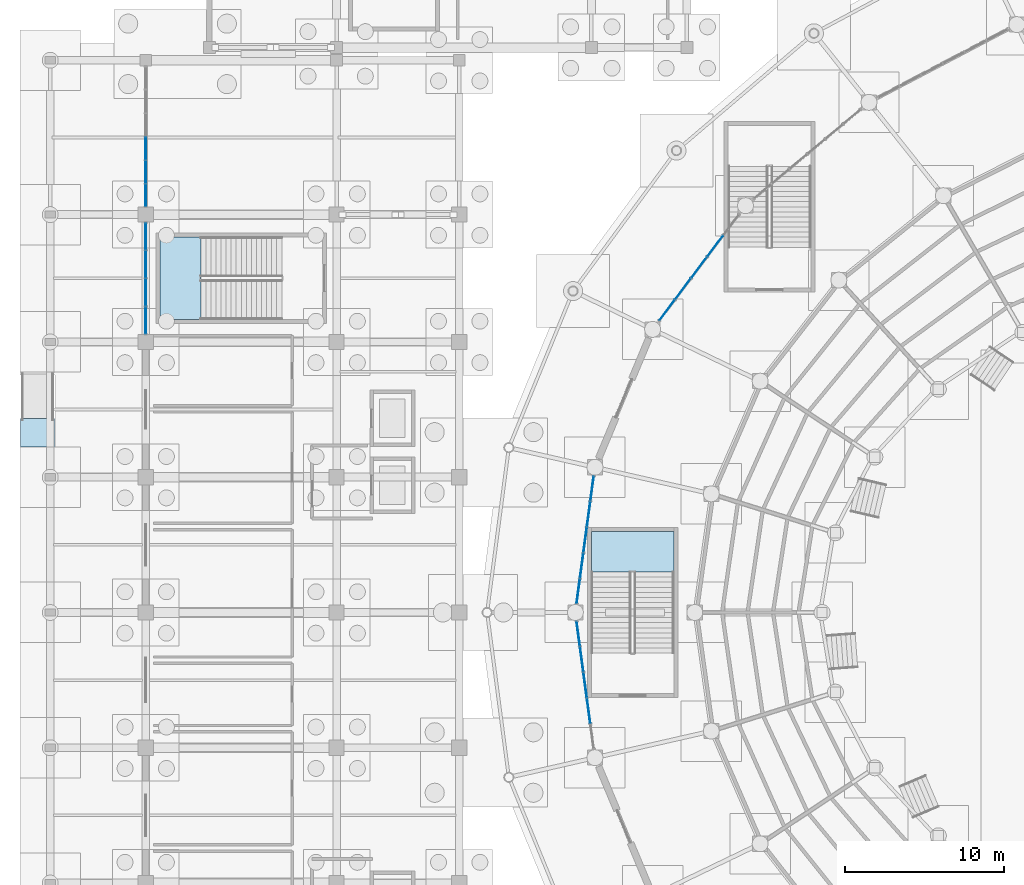
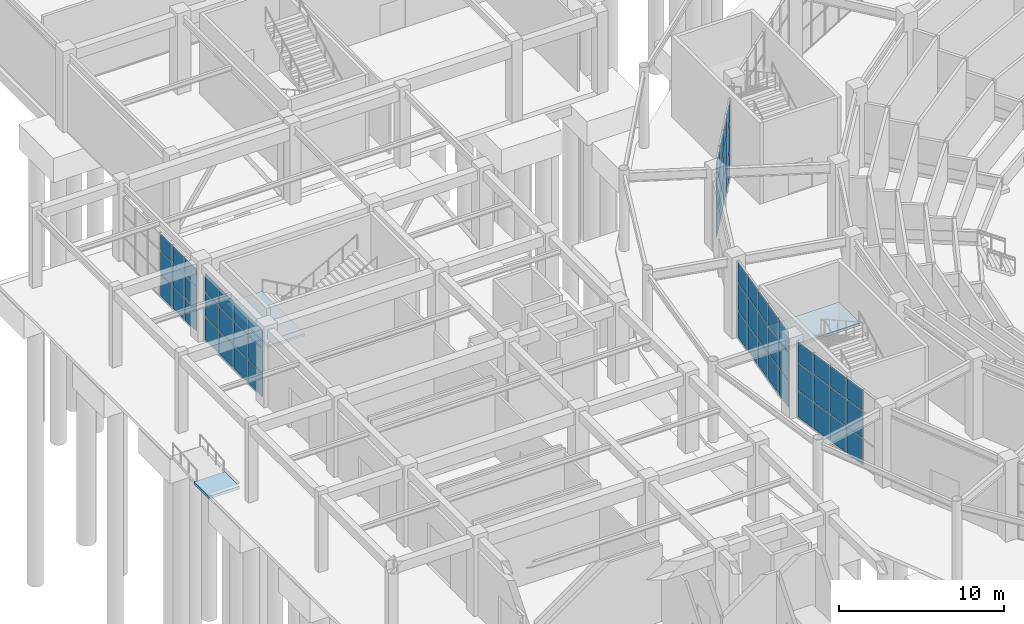
# One storey, part 69 of 121: 60 plates, 3 slabs, 8 elements without a shape of their own.
"""IFC4 building model written with IfcOpenShell, lengths in metres."""

from ifc_helpers import new_model, si_unit, direction, frame, origin, origin_2d, place, context, subcontext, project, spatial, polyline, rectangle, outline, extrude, material, layer, layer_set, type_object, element, aggregate, save


model = new_model("IFC4")

# Units and contexts
model_context = context("Model", 3, precision=1e-05, world=origin(), true_north=direction((0.0, 1.0)))
body_context = subcontext(model_context, "Body", "Model", "MODEL_VIEW")
ifc_project = project(units=[si_unit("LENGTHUNIT", "METRE"), si_unit("AREAUNIT", "SQUARE_METRE"), si_unit("VOLUMEUNIT", "CUBIC_METRE"), si_unit("PLANEANGLEUNIT", "RADIAN"), si_unit("MASSUNIT", "GRAM", prefix="KILO")], contexts=[model_context])

# Site, building, storey
site_placement = place(None, origin())
site = spatial("IfcSite", under=ifc_project, at=site_placement, CompositionType="ELEMENT")
building_placement = place(site_placement, origin())
building = spatial("IfcBuilding", under=site, at=building_placement, Name="Cuetzalor Civic Arena", CompositionType="ELEMENT")
storey_placement = place(building_placement, origin())
storey = spatial("IfcBuildingStorey", under=building, at=storey_placement, Name="L00", CompositionType="ELEMENT", Elevation=0.0)

# Curtain wall, plates
ifc_material_1 = material(Name="Anodised dark bronze aluminium and low-E solar glass", Category="aluminium")
curtain_wall_type_1 = type_object("IfcCurtainWallType", Name="UnitisedCW_8450x5700", PredefinedType="USERDEFINED", material=ifc_material_1)
curtain_wall_1_placement = place(storey_placement, origin())
curtain_wall_1 = element("IfcCurtainWall", 1, at=curtain_wall_1_placement, inside=storey, type_object=curtain_wall_type_1, Name="Drum Ground Recessed Concourse Curtain Wall L00-009", ObjectType="UNITISED CURTAIN WALL", PredefinedType="USERDEFINED")
ifc_material_2 = material(Name="Acoustic laminated solar control glass", Category="glass")
ifc_layer_1 = layer(ifc_material_2, 0.0439453125)
ifc_layer_set_1 = layer_set([ifc_layer_1], Name="Acoustic laminated solar control glass")
plate_type = type_object("IfcPlateType", Name="AcousticTripleGlazedPanel_44", PredefinedType="CURTAIN_PANEL", material=ifc_layer_set_1)
plate_1_placement = place(storey_placement, frame((-43.242431640625, 18.994384765625, 0.06982421875), z_axis=(0.0, 0.0, 1.0), x_axis=(0.600491594925, 0.799631067696, 0.0)))
plate_1 = element("IfcPlate", 2, at=plate_1_placement, type_object=plate_type, Name="CW-02 panel 1.1", PredefinedType="CURTAIN_PANEL", context=body_context, shape_type="SweptSolid", body=[
    extrude(rectangle(XDim=1.58056640625, YDim=0.0439453125, at=origin_2d()), origin(), (0.0, 0.0, 1.0), 1.947021484375),
])
plate_2_placement = place(storey_placement, frame((-43.242431640625, 18.994384765625, 2.0869140625), z_axis=(0.0, 0.0, 1.0), x_axis=(0.600491594925, 0.799631067696, 0.0)))
plate_2 = element("IfcPlate", 3, at=plate_2_placement, type_object=plate_type, Name="CW-02 panel 1.2", PredefinedType="CURTAIN_PANEL", context=body_context, shape_type="SweptSolid", body=[
    extrude(rectangle(XDim=1.58056640625, YDim=0.0439453125, at=origin_2d()), origin(), (0.0, 0.0, 1.0), 1.98193359375),
])
plate_3_placement = place(storey_placement, frame((-43.242431640625, 18.994384765625, 4.13916015625), z_axis=(0.0, 0.0, 1.0), x_axis=(0.600491594925, 0.799631067696, 0.0)))
plate_3 = element("IfcPlate", 4, at=plate_3_placement, type_object=plate_type, Name="CW-02 panel 1.3", PredefinedType="CURTAIN_PANEL", context=body_context, shape_type="SweptSolid", body=[
    extrude(rectangle(XDim=1.58056640625, YDim=0.0439453125, at=origin_2d()), origin(), (0.0, 0.0, 1.0), 1.490966796875),
])
plate_4_placement = place(storey_placement, frame((-42.24072265625, 20.328369140625, 0.06982421875), z_axis=(0.0, 0.0, 1.0), x_axis=(0.600491594925, 0.799631067696, 0.0)))
plate_4 = element("IfcPlate", 5, at=plate_4_placement, type_object=plate_type, Name="CW-02 panel 2.1", PredefinedType="CURTAIN_PANEL", context=body_context, shape_type="SweptSolid", body=[
    extrude(rectangle(XDim=1.615478515625, YDim=0.0439453125, at=origin_2d()), origin(), (0.0, 0.0, 1.0), 1.947021484375),
])
plate_5_placement = place(storey_placement, frame((-42.24072265625, 20.328369140625, 2.0869140625), z_axis=(0.0, 0.0, 1.0), x_axis=(0.600491594925, 0.799631067696, 0.0)))
plate_5 = element("IfcPlate", 6, at=plate_5_placement, type_object=plate_type, Name="CW-02 panel 2.2", PredefinedType="CURTAIN_PANEL", context=body_context, shape_type="SweptSolid", body=[
    extrude(rectangle(XDim=1.615478515625, YDim=0.0439453125, at=origin_2d()), origin(), (0.0, 0.0, 1.0), 1.98193359375),
])
plate_6_placement = place(storey_placement, frame((-42.24072265625, 20.328369140625, 4.13916015625), z_axis=(0.0, 0.0, 1.0), x_axis=(0.600491594925, 0.799631067696, 0.0)))
plate_6 = element("IfcPlate", 7, at=plate_6_placement, type_object=plate_type, Name="CW-02 panel 2.3", PredefinedType="CURTAIN_PANEL", context=body_context, shape_type="SweptSolid", body=[
    extrude(rectangle(XDim=1.615478515625, YDim=0.0439453125, at=origin_2d()), origin(), (0.0, 0.0, 1.0), 1.490966796875),
])
plate_7_placement = place(storey_placement, frame((-41.228515625, 21.67626953125, 0.06982421875), z_axis=(0.0, 0.0, 1.0), x_axis=(0.600491594925, 0.799631067696, 0.0)))
plate_7 = element("IfcPlate", 8, at=plate_7_placement, type_object=plate_type, Name="CW-02 panel 3.1", PredefinedType="CURTAIN_PANEL", context=body_context, shape_type="SweptSolid", body=[
    extrude(rectangle(XDim=1.615478515625, YDim=0.0439453125, at=origin_2d()), origin(), (0.0, 0.0, 1.0), 1.947021484375),
])
plate_8_placement = place(storey_placement, frame((-41.228515625, 21.67626953125, 2.0869140625), z_axis=(0.0, 0.0, 1.0), x_axis=(0.600491594925, 0.799631067696, 0.0)))
plate_8 = element("IfcPlate", 9, at=plate_8_placement, type_object=plate_type, Name="CW-02 panel 3.2", PredefinedType="CURTAIN_PANEL", context=body_context, shape_type="SweptSolid", body=[
    extrude(rectangle(XDim=1.615478515625, YDim=0.0439453125, at=origin_2d()), origin(), (0.0, 0.0, 1.0), 1.98193359375),
])
plate_9_placement = place(storey_placement, frame((-41.228515625, 21.67626953125, 4.13916015625), z_axis=(0.0, 0.0, 1.0), x_axis=(0.600491594925, 0.799631067696, 0.0)))
plate_9 = element("IfcPlate", 10, at=plate_9_placement, type_object=plate_type, Name="CW-02 panel 3.3", PredefinedType="CURTAIN_PANEL", context=body_context, shape_type="SweptSolid", body=[
    extrude(rectangle(XDim=1.615478515625, YDim=0.0439453125, at=origin_2d()), origin(), (0.0, 0.0, 1.0), 1.490966796875),
])
plate_10_placement = place(storey_placement, frame((-40.216552734375, 23.02392578125, 0.06982421875), z_axis=(0.0, 0.0, 1.0), x_axis=(0.600491594925, 0.799631067696, 0.0)))
plate_10 = element("IfcPlate", 11, at=plate_10_placement, type_object=plate_type, Name="CW-02 panel 4.1", PredefinedType="CURTAIN_PANEL", context=body_context, shape_type="SweptSolid", body=[
    extrude(rectangle(XDim=1.615478515625, YDim=0.0439453125, at=origin_2d()), origin(), (0.0, 0.0, 1.0), 1.947021484375),
])
plate_11_placement = place(storey_placement, frame((-40.216552734375, 23.02392578125, 2.0869140625), z_axis=(0.0, 0.0, 1.0), x_axis=(0.600491594925, 0.799631067696, 0.0)))
plate_11 = element("IfcPlate", 12, at=plate_11_placement, type_object=plate_type, Name="CW-02 panel 4.2", PredefinedType="CURTAIN_PANEL", context=body_context, shape_type="SweptSolid", body=[
    extrude(rectangle(XDim=1.615478515625, YDim=0.0439453125, at=origin_2d()), origin(), (0.0, 0.0, 1.0), 1.98193359375),
])
plate_12_placement = place(storey_placement, frame((-40.216552734375, 23.02392578125, 4.13916015625), z_axis=(0.0, 0.0, 1.0), x_axis=(0.600491594925, 0.799631067696, 0.0)))
plate_12 = element("IfcPlate", 13, at=plate_12_placement, type_object=plate_type, Name="CW-02 panel 4.3", PredefinedType="CURTAIN_PANEL", context=body_context, shape_type="SweptSolid", body=[
    extrude(rectangle(XDim=1.615478515625, YDim=0.0439453125, at=origin_2d()), origin(), (0.0, 0.0, 1.0), 1.490966796875),
])
aggregate(curtain_wall_1, [plate_1, plate_2, plate_3, plate_4, plate_5, plate_6, plate_7, plate_8, plate_9, plate_10, plate_11, plate_12])

ifc_material_3 = material(Name="Anodised dark bronze aluminium and low-E solar glass", Category="aluminium")
curtain_wall_type_2 = type_object("IfcCurtainWallType", Name="UnitisedCW_8150x5700", PredefinedType="USERDEFINED", material=ifc_material_3)
curtain_wall_2_placement = place(storey_placement, origin())
curtain_wall_2 = element("IfcCurtainWall", 14, at=curtain_wall_2_placement, inside=storey, type_object=curtain_wall_type_2, Name="Drum Ground Recessed Concourse Curtain Wall L00-010", ObjectType="UNITISED CURTAIN WALL", PredefinedType="USERDEFINED")
plate_13_placement = place(storey_placement, frame((-48.819580078125, 1.3388671875, 0.06982421875), z_axis=(0.0, 0.0, 1.0), x_axis=(0.133443440892, 0.991056430322, 0.0)))
plate_13 = element("IfcPlate", 15, at=plate_13_placement, type_object=plate_type, Name="CW-01 panel 1.1", PredefinedType="CURTAIN_PANEL", context=body_context, shape_type="SweptSolid", body=[
    extrude(rectangle(XDim=1.52978515625, YDim=0.0439453125, at=origin_2d()), origin(), (0.0, 0.0, 1.0), 1.947021484375),
])
plate_14_placement = place(storey_placement, frame((-48.819580078125, 1.3388671875, 2.0869140625), z_axis=(0.0, 0.0, 1.0), x_axis=(0.133443440892, 0.991056430322, 0.0)))
plate_14 = element("IfcPlate", 16, at=plate_14_placement, type_object=plate_type, Name="CW-01 panel 1.2", PredefinedType="CURTAIN_PANEL", context=body_context, shape_type="SweptSolid", body=[
    extrude(rectangle(XDim=1.52978515625, YDim=0.0439453125, at=origin_2d()), origin(), (0.0, 0.0, 1.0), 1.98193359375),
])
plate_15_placement = place(storey_placement, frame((-48.819580078125, 1.3388671875, 4.13916015625), z_axis=(0.0, 0.0, 1.0), x_axis=(0.133443440892, 0.991056430322, 0.0)))
plate_15 = element("IfcPlate", 17, at=plate_15_placement, type_object=plate_type, Name="CW-01 panel 1.3", PredefinedType="CURTAIN_PANEL", context=body_context, shape_type="SweptSolid", body=[
    extrude(rectangle(XDim=1.52978515625, YDim=0.0439453125, at=origin_2d()), origin(), (0.0, 0.0, 1.0), 1.490966796875),
])
plate_16_placement = place(storey_placement, frame((-48.60400390625, 2.941650390625, 0.06982421875), z_axis=(0.0, 0.0, 1.0), x_axis=(0.133443440892, 0.991056430322, 0.0)))
plate_16 = element("IfcPlate", 18, at=plate_16_placement, type_object=plate_type, Name="CW-01 panel 2.1", PredefinedType="CURTAIN_PANEL", context=body_context, shape_type="SweptSolid", body=[
    extrude(rectangle(XDim=1.564697265625, YDim=0.0439453125, at=origin_2d()), origin(), (0.0, 0.0, 1.0), 1.947021484375),
])
plate_17_placement = place(storey_placement, frame((-48.60400390625, 2.941650390625, 2.0869140625), z_axis=(0.0, 0.0, 1.0), x_axis=(0.133443440892, 0.991056430322, 0.0)))
plate_17 = element("IfcPlate", 19, at=plate_17_placement, type_object=plate_type, Name="CW-01 panel 2.2", PredefinedType="CURTAIN_PANEL", context=body_context, shape_type="SweptSolid", body=[
    extrude(rectangle(XDim=1.564697265625, YDim=0.0439453125, at=origin_2d()), origin(), (0.0, 0.0, 1.0), 1.98193359375),
])
plate_18_placement = place(storey_placement, frame((-48.60400390625, 2.941650390625, 4.13916015625), z_axis=(0.0, 0.0, 1.0), x_axis=(0.133443440892, 0.991056430322, 0.0)))
plate_18 = element("IfcPlate", 20, at=plate_18_placement, type_object=plate_type, Name="CW-01 panel 2.3", PredefinedType="CURTAIN_PANEL", context=body_context, shape_type="SweptSolid", body=[
    extrude(rectangle(XDim=1.564697265625, YDim=0.0439453125, at=origin_2d()), origin(), (0.0, 0.0, 1.0), 1.490966796875),
])
plate_19_placement = place(storey_placement, frame((-48.3857421875, 4.561767578125, 0.06982421875), z_axis=(0.0, 0.0, 1.0), x_axis=(0.133443440892, 0.991056430322, 0.0)))
plate_19 = element("IfcPlate", 21, at=plate_19_placement, type_object=plate_type, Name="CW-01 panel 3.1", PredefinedType="CURTAIN_PANEL", context=body_context, shape_type="SweptSolid", body=[
    extrude(rectangle(XDim=1.564697265625, YDim=0.0439453125, at=origin_2d()), origin(), (0.0, 0.0, 1.0), 1.947021484375),
])
plate_20_placement = place(storey_placement, frame((-48.3857421875, 4.561767578125, 2.0869140625), z_axis=(0.0, 0.0, 1.0), x_axis=(0.133443440892, 0.991056430322, 0.0)))
plate_20 = element("IfcPlate", 22, at=plate_20_placement, type_object=plate_type, Name="CW-01 panel 3.2", PredefinedType="CURTAIN_PANEL", context=body_context, shape_type="SweptSolid", body=[
    extrude(rectangle(XDim=1.564697265625, YDim=0.0439453125, at=origin_2d()), origin(), (0.0, 0.0, 1.0), 1.98193359375),
])
plate_21_placement = place(storey_placement, frame((-48.3857421875, 4.561767578125, 4.13916015625), z_axis=(0.0, 0.0, 1.0), x_axis=(0.133443440892, 0.991056430322, 0.0)))
plate_21 = element("IfcPlate", 23, at=plate_21_placement, type_object=plate_type, Name="CW-01 panel 3.3", PredefinedType="CURTAIN_PANEL", context=body_context, shape_type="SweptSolid", body=[
    extrude(rectangle(XDim=1.564697265625, YDim=0.0439453125, at=origin_2d()), origin(), (0.0, 0.0, 1.0), 1.490966796875),
])
plate_22_placement = place(storey_placement, frame((-48.167724609375, 6.181884765625, 0.06982421875), z_axis=(0.0, 0.0, 1.0), x_axis=(0.133443440892, 0.991056430322, 0.0)))
plate_22 = element("IfcPlate", 24, at=plate_22_placement, type_object=plate_type, Name="CW-01 panel 4.1", PredefinedType="CURTAIN_PANEL", context=body_context, shape_type="SweptSolid", body=[
    extrude(rectangle(XDim=1.564697265625, YDim=0.0439453125, at=origin_2d()), origin(), (0.0, 0.0, 1.0), 1.947021484375),
])
plate_23_placement = place(storey_placement, frame((-48.167724609375, 6.181884765625, 2.0869140625), z_axis=(0.0, 0.0, 1.0), x_axis=(0.133443440892, 0.991056430322, 0.0)))
plate_23 = element("IfcPlate", 25, at=plate_23_placement, type_object=plate_type, Name="CW-01 panel 4.2", PredefinedType="CURTAIN_PANEL", context=body_context, shape_type="SweptSolid", body=[
    extrude(rectangle(XDim=1.564697265625, YDim=0.0439453125, at=origin_2d()), origin(), (0.0, 0.0, 1.0), 1.98193359375),
])
plate_24_placement = place(storey_placement, frame((-48.167724609375, 6.181884765625, 4.13916015625), z_axis=(0.0, 0.0, 1.0), x_axis=(0.133443440892, 0.991056430322, 0.0)))
plate_24 = element("IfcPlate", 26, at=plate_24_placement, type_object=plate_type, Name="CW-01 panel 4.3", PredefinedType="CURTAIN_PANEL", context=body_context, shape_type="SweptSolid", body=[
    extrude(rectangle(XDim=1.564697265625, YDim=0.0439453125, at=origin_2d()), origin(), (0.0, 0.0, 1.0), 1.490966796875),
])
plate_25_placement = place(storey_placement, frame((-47.951904296875, 7.784423828125, 0.06982421875), z_axis=(0.0, 0.0, 1.0), x_axis=(0.133443440892, 0.991056430322, 0.0)))
plate_25 = element("IfcPlate", 27, at=plate_25_placement, type_object=plate_type, Name="CW-01 panel 5.1", PredefinedType="CURTAIN_PANEL", context=body_context, shape_type="SweptSolid", body=[
    extrude(rectangle(XDim=1.52978515625, YDim=0.0439453125, at=origin_2d()), origin(), (0.0, 0.0, 1.0), 1.947021484375),
])
plate_26_placement = place(storey_placement, frame((-47.951904296875, 7.784423828125, 2.0869140625), z_axis=(0.0, 0.0, 1.0), x_axis=(0.133443440892, 0.991056430322, 0.0)))
plate_26 = element("IfcPlate", 28, at=plate_26_placement, type_object=plate_type, Name="CW-01 panel 5.2", PredefinedType="CURTAIN_PANEL", context=body_context, shape_type="SweptSolid", body=[
    extrude(rectangle(XDim=1.52978515625, YDim=0.0439453125, at=origin_2d()), origin(), (0.0, 0.0, 1.0), 1.98193359375),
])
plate_27_placement = place(storey_placement, frame((-47.951904296875, 7.784423828125, 4.13916015625), z_axis=(0.0, 0.0, 1.0), x_axis=(0.133443440892, 0.991056430322, 0.0)))
plate_27 = element("IfcPlate", 29, at=plate_27_placement, type_object=plate_type, Name="CW-01 panel 5.3", PredefinedType="CURTAIN_PANEL", context=body_context, shape_type="SweptSolid", body=[
    extrude(rectangle(XDim=1.52978515625, YDim=0.0439453125, at=origin_2d()), origin(), (0.0, 0.0, 1.0), 1.490966796875),
])
aggregate(curtain_wall_2, [plate_13, plate_14, plate_15, plate_16, plate_17, plate_18, plate_19, plate_20, plate_21, plate_22, plate_23, plate_24, plate_25, plate_26, plate_27])

curtain_wall_3_placement = place(storey_placement, origin())
curtain_wall_3 = element("IfcCurtainWall", 30, at=curtain_wall_3_placement, inside=storey, type_object=curtain_wall_type_2, Name="Drum Ground Recessed Concourse Curtain Wall L00-011", ObjectType="UNITISED CURTAIN WALL", PredefinedType="USERDEFINED")
plate_28_placement = place(storey_placement, frame((-48.167724609375, -6.181884765625, 0.06982421875), z_axis=(0.0, 0.0, 1.0), x_axis=(-0.133443440892, 0.991056430322, 0.0)))
plate_28 = element("IfcPlate", 31, at=plate_28_placement, type_object=plate_type, Name="CW-01 panel 2.1", PredefinedType="CURTAIN_PANEL", context=body_context, shape_type="SweptSolid", body=[
    extrude(rectangle(XDim=1.564697265625, YDim=0.0439453125, at=origin_2d()), origin(), (0.0, 0.0, 1.0), 1.947021484375),
])
plate_29_placement = place(storey_placement, frame((-48.167724609375, -6.181884765625, 2.0869140625), z_axis=(0.0, 0.0, 1.0), x_axis=(-0.133443440892, 0.991056430322, 0.0)))
plate_29 = element("IfcPlate", 32, at=plate_29_placement, type_object=plate_type, Name="CW-01 panel 2.2", PredefinedType="CURTAIN_PANEL", context=body_context, shape_type="SweptSolid", body=[
    extrude(rectangle(XDim=1.564697265625, YDim=0.0439453125, at=origin_2d()), origin(), (0.0, 0.0, 1.0), 1.98193359375),
])
plate_30_placement = place(storey_placement, frame((-48.167724609375, -6.181884765625, 4.13916015625), z_axis=(0.0, 0.0, 1.0), x_axis=(-0.133443440892, 0.991056430322, 0.0)))
plate_30 = element("IfcPlate", 33, at=plate_30_placement, type_object=plate_type, Name="CW-01 panel 2.3", PredefinedType="CURTAIN_PANEL", context=body_context, shape_type="SweptSolid", body=[
    extrude(rectangle(XDim=1.564697265625, YDim=0.0439453125, at=origin_2d()), origin(), (0.0, 0.0, 1.0), 1.490966796875),
])
plate_31_placement = place(storey_placement, frame((-48.3857421875, -4.561767578125, 0.06982421875), z_axis=(0.0, 0.0, 1.0), x_axis=(-0.133443440892, 0.991056430322, 0.0)))
plate_31 = element("IfcPlate", 34, at=plate_31_placement, type_object=plate_type, Name="CW-01 panel 3.1", PredefinedType="CURTAIN_PANEL", context=body_context, shape_type="SweptSolid", body=[
    extrude(rectangle(XDim=1.564697265625, YDim=0.0439453125, at=origin_2d()), origin(), (0.0, 0.0, 1.0), 1.947021484375),
])
plate_32_placement = place(storey_placement, frame((-48.3857421875, -4.561767578125, 2.0869140625), z_axis=(0.0, 0.0, 1.0), x_axis=(-0.133443440892, 0.991056430322, 0.0)))
plate_32 = element("IfcPlate", 35, at=plate_32_placement, type_object=plate_type, Name="CW-01 panel 3.2", PredefinedType="CURTAIN_PANEL", context=body_context, shape_type="SweptSolid", body=[
    extrude(rectangle(XDim=1.564697265625, YDim=0.0439453125, at=origin_2d()), origin(), (0.0, 0.0, 1.0), 1.98193359375),
])
plate_33_placement = place(storey_placement, frame((-48.3857421875, -4.561767578125, 4.13916015625), z_axis=(0.0, 0.0, 1.0), x_axis=(-0.133443440892, 0.991056430322, 0.0)))
plate_33 = element("IfcPlate", 36, at=plate_33_placement, type_object=plate_type, Name="CW-01 panel 3.3", PredefinedType="CURTAIN_PANEL", context=body_context, shape_type="SweptSolid", body=[
    extrude(rectangle(XDim=1.564697265625, YDim=0.0439453125, at=origin_2d()), origin(), (0.0, 0.0, 1.0), 1.490966796875),
])
plate_34_placement = place(storey_placement, frame((-48.60400390625, -2.941650390625, 0.06982421875), z_axis=(0.0, 0.0, 1.0), x_axis=(-0.133443440892, 0.991056430322, 0.0)))
plate_34 = element("IfcPlate", 37, at=plate_34_placement, type_object=plate_type, Name="CW-01 panel 4.1", PredefinedType="CURTAIN_PANEL", context=body_context, shape_type="SweptSolid", body=[
    extrude(rectangle(XDim=1.564697265625, YDim=0.0439453125, at=origin_2d()), origin(), (0.0, 0.0, 1.0), 1.947021484375),
])
plate_35_placement = place(storey_placement, frame((-48.60400390625, -2.941650390625, 2.0869140625), z_axis=(0.0, 0.0, 1.0), x_axis=(-0.133443440892, 0.991056430322, 0.0)))
plate_35 = element("IfcPlate", 38, at=plate_35_placement, type_object=plate_type, Name="CW-01 panel 4.2", PredefinedType="CURTAIN_PANEL", context=body_context, shape_type="SweptSolid", body=[
    extrude(rectangle(XDim=1.564697265625, YDim=0.0439453125, at=origin_2d()), origin(), (0.0, 0.0, 1.0), 1.98193359375),
])
plate_36_placement = place(storey_placement, frame((-48.60400390625, -2.941650390625, 4.13916015625), z_axis=(0.0, 0.0, 1.0), x_axis=(-0.133443440892, 0.991056430322, 0.0)))
plate_36 = element("IfcPlate", 39, at=plate_36_placement, type_object=plate_type, Name="CW-01 panel 4.3", PredefinedType="CURTAIN_PANEL", context=body_context, shape_type="SweptSolid", body=[
    extrude(rectangle(XDim=1.564697265625, YDim=0.0439453125, at=origin_2d()), origin(), (0.0, 0.0, 1.0), 1.490966796875),
])
plate_37_placement = place(storey_placement, frame((-48.819580078125, -1.3388671875, 0.06982421875), z_axis=(0.0, 0.0, 1.0), x_axis=(-0.133443440892, 0.991056430322, 0.0)))
plate_37 = element("IfcPlate", 40, at=plate_37_placement, type_object=plate_type, Name="CW-01 panel 5.1", PredefinedType="CURTAIN_PANEL", context=body_context, shape_type="SweptSolid", body=[
    extrude(rectangle(XDim=1.52978515625, YDim=0.0439453125, at=origin_2d()), origin(), (0.0, 0.0, 1.0), 1.947021484375),
])
plate_38_placement = place(storey_placement, frame((-48.819580078125, -1.3388671875, 2.0869140625), z_axis=(0.0, 0.0, 1.0), x_axis=(-0.133443440892, 0.991056430322, 0.0)))
plate_38 = element("IfcPlate", 41, at=plate_38_placement, type_object=plate_type, Name="CW-01 panel 5.2", PredefinedType="CURTAIN_PANEL", context=body_context, shape_type="SweptSolid", body=[
    extrude(rectangle(XDim=1.52978515625, YDim=0.0439453125, at=origin_2d()), origin(), (0.0, 0.0, 1.0), 1.98193359375),
])
plate_39_placement = place(storey_placement, frame((-48.819580078125, -1.3388671875, 4.13916015625), z_axis=(0.0, 0.0, 1.0), x_axis=(-0.133443440892, 0.991056430322, 0.0)))
plate_39 = element("IfcPlate", 42, at=plate_39_placement, type_object=plate_type, Name="CW-01 panel 5.3", PredefinedType="CURTAIN_PANEL", context=body_context, shape_type="SweptSolid", body=[
    extrude(rectangle(XDim=1.52978515625, YDim=0.0439453125, at=origin_2d()), origin(), (0.0, 0.0, 1.0), 1.490966796875),
])
aggregate(curtain_wall_3, [plate_28, plate_29, plate_30, plate_31, plate_32, plate_33, plate_34, plate_35, plate_36, plate_37, plate_38, plate_39])

ifc_material_4 = material(Name="Anodised dark bronze aluminium and low-E solar glass", Category="aluminium")
curtain_wall_type_3 = type_object("IfcCurtainWallType", Name="UnitisedCW_7100x5050", PredefinedType="USERDEFINED", material=ifc_material_4)
curtain_wall_4_placement = place(storey_placement, origin())
curtain_wall_4 = element("IfcCurtainWall", 43, at=curtain_wall_4_placement, inside=storey, type_object=curtain_wall_type_3, Name="V4W Colonnade Curtain Wall L00-106", ObjectType="UNITISED CURTAIN WALL", PredefinedType="USERDEFINED")
plate_40_placement = place(storey_placement, frame((-76.0, 18.3603515625, 0.070068359375), z_axis=(0.0, 0.0, 1.0), x_axis=(0.0, 1.0, 0.0)))
plate_40 = element("IfcPlate", 44, at=plate_40_placement, type_object=plate_type, Name="CW-34 panel 1.1", PredefinedType="CURTAIN_PANEL", context=body_context, shape_type="SweptSolid", body=[
    extrude(rectangle(XDim=1.66650390625, YDim=0.0439453125, at=origin_2d()), origin(), (0.0, 0.0, 1.0), 1.708984375),
])
plate_41_placement = place(storey_placement, frame((-76.0, 18.3603515625, 1.848876953125), z_axis=(0.0, 0.0, 1.0), x_axis=(0.0, 1.0, 0.0)))
plate_41 = element("IfcPlate", 45, at=plate_41_placement, type_object=plate_type, Name="CW-34 panel 1.2", PredefinedType="CURTAIN_PANEL", context=body_context, shape_type="SweptSolid", body=[
    extrude(rectangle(XDim=1.66650390625, YDim=0.0439453125, at=origin_2d()), origin(), (0.0, 0.0, 1.0), 1.7451171875),
])
plate_42_placement = place(storey_placement, frame((-76.0, 18.3603515625, 3.6640625), z_axis=(0.0, 0.0, 1.0), x_axis=(0.0, 1.0, 0.0)))
plate_42 = element("IfcPlate", 46, at=plate_42_placement, type_object=plate_type, Name="CW-34 panel 1.3", PredefinedType="CURTAIN_PANEL", context=body_context, shape_type="SweptSolid", body=[
    extrude(rectangle(XDim=1.66650390625, YDim=0.0439453125, at=origin_2d()), origin(), (0.0, 0.0, 1.0), 1.305908203125),
])
plate_43_placement = place(storey_placement, frame((-76.0, 20.1142578125, 0.070068359375), z_axis=(0.0, 0.0, 1.0), x_axis=(0.0, 1.0, 0.0)))
plate_43 = element("IfcPlate", 47, at=plate_43_placement, type_object=plate_type, Name="CW-34 panel 2.1", PredefinedType="CURTAIN_PANEL", context=body_context, shape_type="SweptSolid", body=[
    extrude(rectangle(XDim=1.701416015625, YDim=0.0439453125, at=origin_2d()), origin(), (0.0, 0.0, 1.0), 1.708984375),
])
plate_44_placement = place(storey_placement, frame((-76.0, 20.1142578125, 1.848876953125), z_axis=(0.0, 0.0, 1.0), x_axis=(0.0, 1.0, 0.0)))
plate_44 = element("IfcPlate", 48, at=plate_44_placement, type_object=plate_type, Name="CW-34 panel 2.2", PredefinedType="CURTAIN_PANEL", context=body_context, shape_type="SweptSolid", body=[
    extrude(rectangle(XDim=1.701416015625, YDim=0.0439453125, at=origin_2d()), origin(), (0.0, 0.0, 1.0), 1.7451171875),
])
plate_45_placement = place(storey_placement, frame((-76.0, 20.1142578125, 3.6640625), z_axis=(0.0, 0.0, 1.0), x_axis=(0.0, 1.0, 0.0)))
plate_45 = element("IfcPlate", 49, at=plate_45_placement, type_object=plate_type, Name="CW-34 panel 2.3", PredefinedType="CURTAIN_PANEL", context=body_context, shape_type="SweptSolid", body=[
    extrude(rectangle(XDim=1.701416015625, YDim=0.0439453125, at=origin_2d()), origin(), (0.0, 0.0, 1.0), 1.305908203125),
])
plate_46_placement = place(storey_placement, frame((-76.0, 21.8857421875, 0.070068359375), z_axis=(0.0, 0.0, 1.0), x_axis=(0.0, 1.0, 0.0)))
plate_46 = element("IfcPlate", 50, at=plate_46_placement, type_object=plate_type, Name="CW-34 panel 3.1", PredefinedType="CURTAIN_PANEL", context=body_context, shape_type="SweptSolid", body=[
    extrude(rectangle(XDim=1.701416015625, YDim=0.0439453125, at=origin_2d()), origin(), (0.0, 0.0, 1.0), 1.708984375),
])
plate_47_placement = place(storey_placement, frame((-76.0, 21.8857421875, 1.848876953125), z_axis=(0.0, 0.0, 1.0), x_axis=(0.0, 1.0, 0.0)))
plate_47 = element("IfcPlate", 51, at=plate_47_placement, type_object=plate_type, Name="CW-34 panel 3.2", PredefinedType="CURTAIN_PANEL", context=body_context, shape_type="SweptSolid", body=[
    extrude(rectangle(XDim=1.701416015625, YDim=0.0439453125, at=origin_2d()), origin(), (0.0, 0.0, 1.0), 1.7451171875),
])
plate_48_placement = place(storey_placement, frame((-76.0, 21.8857421875, 3.6640625), z_axis=(0.0, 0.0, 1.0), x_axis=(0.0, 1.0, 0.0)))
plate_48 = element("IfcPlate", 52, at=plate_48_placement, type_object=plate_type, Name="CW-34 panel 3.3", PredefinedType="CURTAIN_PANEL", context=body_context, shape_type="SweptSolid", body=[
    extrude(rectangle(XDim=1.701416015625, YDim=0.0439453125, at=origin_2d()), origin(), (0.0, 0.0, 1.0), 1.305908203125),
])
plate_49_placement = place(storey_placement, frame((-76.0, 23.6396484375, 0.070068359375), z_axis=(0.0, 0.0, 1.0), x_axis=(0.0, 1.0, 0.0)))
plate_49 = element("IfcPlate", 53, at=plate_49_placement, type_object=plate_type, Name="CW-34 panel 4.1", PredefinedType="CURTAIN_PANEL", context=body_context, shape_type="SweptSolid", body=[
    extrude(rectangle(XDim=1.66650390625, YDim=0.0439453125, at=origin_2d()), origin(), (0.0, 0.0, 1.0), 1.708984375),
])
plate_50_placement = place(storey_placement, frame((-76.0, 23.6396484375, 1.848876953125), z_axis=(0.0, 0.0, 1.0), x_axis=(0.0, 1.0, 0.0)))
plate_50 = element("IfcPlate", 54, at=plate_50_placement, type_object=plate_type, Name="CW-34 panel 4.2", PredefinedType="CURTAIN_PANEL", context=body_context, shape_type="SweptSolid", body=[
    extrude(rectangle(XDim=1.66650390625, YDim=0.0439453125, at=origin_2d()), origin(), (0.0, 0.0, 1.0), 1.7451171875),
])
plate_51_placement = place(storey_placement, frame((-76.0, 23.6396484375, 3.6640625), z_axis=(0.0, 0.0, 1.0), x_axis=(0.0, 1.0, 0.0)))
plate_51 = element("IfcPlate", 55, at=plate_51_placement, type_object=plate_type, Name="CW-34 panel 4.3", PredefinedType="CURTAIN_PANEL", context=body_context, shape_type="SweptSolid", body=[
    extrude(rectangle(XDim=1.66650390625, YDim=0.0439453125, at=origin_2d()), origin(), (0.0, 0.0, 1.0), 1.305908203125),
])
aggregate(curtain_wall_4, [plate_40, plate_41, plate_42, plate_43, plate_44, plate_45, plate_46, plate_47, plate_48, plate_49, plate_50, plate_51])

ifc_material_5 = material(Name="Anodised dark bronze aluminium and low-E solar glass", Category="aluminium")
curtain_wall_type_4 = type_object("IfcCurtainWallType", Name="UnitisedCW_8900x4750", PredefinedType="USERDEFINED", material=ifc_material_5)
curtain_wall_5_placement = place(storey_placement, origin())
curtain_wall_5 = element("IfcCurtainWall", 56, at=curtain_wall_5_placement, inside=storey, type_object=curtain_wall_type_4, Name="V4W Colonnade Curtain Wall L00-107", ObjectType="UNITISED CURTAIN WALL", PredefinedType="USERDEFINED")
plate_52_placement = place(storey_placement, frame((-76.0, 26.215087890625, 0.070068359375), z_axis=(0.0, 0.0, 1.0), x_axis=(0.0, 1.0, 0.0)))
plate_52 = element("IfcPlate", 57, at=plate_52_placement, type_object=plate_type, Name="CW-35 panel 1.1", PredefinedType="CURTAIN_PANEL", context=body_context, shape_type="SweptSolid", body=[
    extrude(rectangle(XDim=1.3759765625, YDim=0.0439453125, at=origin_2d()), origin(), (0.0, 0.0, 1.0), 1.60107421875),
])
plate_53_placement = place(storey_placement, frame((-76.0, 26.215087890625, 1.7412109375), z_axis=(0.0, 0.0, 1.0), x_axis=(0.0, 1.0, 0.0)))
plate_53 = element("IfcPlate", 58, at=plate_53_placement, type_object=plate_type, Name="CW-35 panel 1.2", PredefinedType="CURTAIN_PANEL", context=body_context, shape_type="SweptSolid", body=[
    extrude(rectangle(XDim=1.3759765625, YDim=0.0439453125, at=origin_2d()), origin(), (0.0, 0.0, 1.0), 1.636962890625),
])
plate_54_placement = place(storey_placement, frame((-76.0, 26.215087890625, 3.4482421875), z_axis=(0.0, 0.0, 1.0), x_axis=(0.0, 1.0, 0.0)))
plate_54 = element("IfcPlate", 59, at=plate_54_placement, type_object=plate_type, Name="CW-35 panel 1.3", PredefinedType="CURTAIN_PANEL", context=body_context, shape_type="SweptSolid", body=[
    extrude(rectangle(XDim=1.3759765625, YDim=0.0439453125, at=origin_2d()), origin(), (0.0, 0.0, 1.0), 1.221923828125),
])
plate_55_placement = place(storey_placement, frame((-76.0, 27.678466796875, 0.070068359375), z_axis=(0.0, 0.0, 1.0), x_axis=(0.0, 1.0, 0.0)))
plate_55 = element("IfcPlate", 60, at=plate_55_placement, type_object=plate_type, Name="CW-35 panel 2.1", PredefinedType="CURTAIN_PANEL", context=body_context, shape_type="SweptSolid", body=[
    extrude(rectangle(XDim=1.410888671875, YDim=0.0439453125, at=origin_2d()), origin(), (0.0, 0.0, 1.0), 1.60107421875),
])
plate_56_placement = place(storey_placement, frame((-76.0, 27.678466796875, 1.7412109375), z_axis=(0.0, 0.0, 1.0), x_axis=(0.0, 1.0, 0.0)))
plate_56 = element("IfcPlate", 61, at=plate_56_placement, type_object=plate_type, Name="CW-35 panel 2.2", PredefinedType="CURTAIN_PANEL", context=body_context, shape_type="SweptSolid", body=[
    extrude(rectangle(XDim=1.410888671875, YDim=0.0439453125, at=origin_2d()), origin(), (0.0, 0.0, 1.0), 1.636962890625),
])
plate_57_placement = place(storey_placement, frame((-76.0, 27.678466796875, 3.4482421875), z_axis=(0.0, 0.0, 1.0), x_axis=(0.0, 1.0, 0.0)))
plate_57 = element("IfcPlate", 62, at=plate_57_placement, type_object=plate_type, Name="CW-35 panel 2.3", PredefinedType="CURTAIN_PANEL", context=body_context, shape_type="SweptSolid", body=[
    extrude(rectangle(XDim=1.410888671875, YDim=0.0439453125, at=origin_2d()), origin(), (0.0, 0.0, 1.0), 1.221923828125),
])
plate_58_placement = place(storey_placement, frame((-76.0, 29.159423828125, 0.070068359375), z_axis=(0.0, 0.0, 1.0), x_axis=(0.0, 1.0, 0.0)))
plate_58 = element("IfcPlate", 63, at=plate_58_placement, type_object=plate_type, Name="CW-35 panel 3.1", PredefinedType="CURTAIN_PANEL", context=body_context, shape_type="SweptSolid", body=[
    extrude(rectangle(XDim=1.410888671875, YDim=0.0439453125, at=origin_2d()), origin(), (0.0, 0.0, 1.0), 1.60107421875),
])
plate_59_placement = place(storey_placement, frame((-76.0, 29.159423828125, 1.7412109375), z_axis=(0.0, 0.0, 1.0), x_axis=(0.0, 1.0, 0.0)))
plate_59 = element("IfcPlate", 64, at=plate_59_placement, type_object=plate_type, Name="CW-35 panel 3.2", PredefinedType="CURTAIN_PANEL", context=body_context, shape_type="SweptSolid", body=[
    extrude(rectangle(XDim=1.410888671875, YDim=0.0439453125, at=origin_2d()), origin(), (0.0, 0.0, 1.0), 1.636962890625),
])
plate_60_placement = place(storey_placement, frame((-76.0, 29.159423828125, 3.4482421875), z_axis=(0.0, 0.0, 1.0), x_axis=(0.0, 1.0, 0.0)))
plate_60 = element("IfcPlate", 65, at=plate_60_placement, type_object=plate_type, Name="CW-35 panel 3.3", PredefinedType="CURTAIN_PANEL", context=body_context, shape_type="SweptSolid", body=[
    extrude(rectangle(XDim=1.410888671875, YDim=0.0439453125, at=origin_2d()), origin(), (0.0, 0.0, 1.0), 1.221923828125),
])
aggregate(curtain_wall_5, [plate_52, plate_53, plate_54, plate_55, plate_56, plate_57, plate_58, plate_59, plate_60])

# Stair, slab
ifc_material_6 = material(Name="Precast concrete C40/50", Category="concrete")
stair_type = type_object("IfcStairType", Name="EnclosedExitStair_H600", PredefinedType="HALF_TURN_STAIR", material=ifc_material_6)
stair_1_placement = place(storey_placement, origin())
stair_1 = element("IfcStair", 66, at=stair_1_placement, inside=storey, type_object=stair_type, Name="L00 Enclosed Exit Stair ST-05", PredefinedType="HALF_TURN_STAIR")
ifc_material_7 = material(Name="Concrete C40/50", Category="concrete")
ifc_layer_2 = layer(ifc_material_7, 0.199951171875)
ifc_layer_set_2 = layer_set([ifc_layer_2], Name="Concrete C40/50")
slab_type = type_object("IfcSlabType", Name="StairHalfLandingSlab_200", PredefinedType="LANDING", material=ifc_layer_set_2)
slab_1_placement = place(storey_placement, frame((0.0, 0.0, 2.800048828125)))
slab_1 = element("IfcSlab", 67, at=slab_1_placement, type_object=slab_type, Name="ST-05 landing 1", PredefinedType="LANDING", context=body_context, shape_type="SweptSolid", body=[
    extrude(outline(polyline([(-42.800048828125, 2.5380859375), (-42.800048828125, 5.10009765625), (-48.0, 5.10009765625), (-48.0, 2.5380859375), (-42.800048828125, 2.5380859375)])), origin(), (0.0, 0.0, 1.0), 0.199951171875),
])
aggregate(stair_1, [slab_1])

stair_2_placement = place(storey_placement, origin())
stair_2 = element("IfcStair", 68, at=stair_2_placement, inside=storey, type_object=stair_type, Name="L00 Enclosed Exit Stair ST-17", PredefinedType="HALF_TURN_STAIR")
slab_2_placement = place(storey_placement, frame((0.0, 0.0, 2.800048828125)))
slab_2 = element("IfcSlab", 69, at=slab_2_placement, type_object=slab_type, Name="ST-17 landing 1", PredefinedType="LANDING", context=body_context, shape_type="SweptSolid", body=[
    extrude(outline(polyline([(-72.5380859375, 23.60009765625), (-75.10009765625, 23.60009765625), (-75.10009765625, 18.39990234375), (-72.5380859375, 18.39990234375), (-72.5380859375, 23.60009765625)])), origin(), (0.0, 0.0, 1.0), 0.199951171875),
])
aggregate(stair_2, [slab_2])

# Ramp, slab
ifc_material_8 = material(Name="Concrete C35/45 bush-hammered", Category="concrete")
ramp_type = type_object("IfcRampType", Name="AccessibleColonnadeRamp_1in12", PredefinedType="STRAIGHT_RUN_RAMP", material=ifc_material_8)
ramp_placement = place(storey_placement, origin())
ramp = element("IfcRamp", 70, at=ramp_placement, inside=storey, type_object=ramp_type, Name="Accessible Colonnade Plaza Ramp RMP-W2", PredefinedType="STRAIGHT_RUN_RAMP")
slab_3_placement = place(storey_placement, frame((0.0, 0.0, -0.43994140625)))
slab_3 = element("IfcSlab", 71, at=slab_3_placement, type_object=slab_type, Name="Accessible Colonnade Ramp Approach Landing RMP-W2", PredefinedType="LANDING", context=body_context, shape_type="SweptSolid", body=[
    extrude(outline(polyline([(-83.8798828125, 10.39990234375), (-81.719970703125, 10.39990234375), (-81.719970703125, 12.199951171875), (-83.8798828125, 12.199951171875), (-83.8798828125, 10.39990234375)])), origin(), (0.0, 0.0, 1.0), 0.199951171875),
])
aggregate(ramp, [slab_3])

save(model, "model.ifc")
